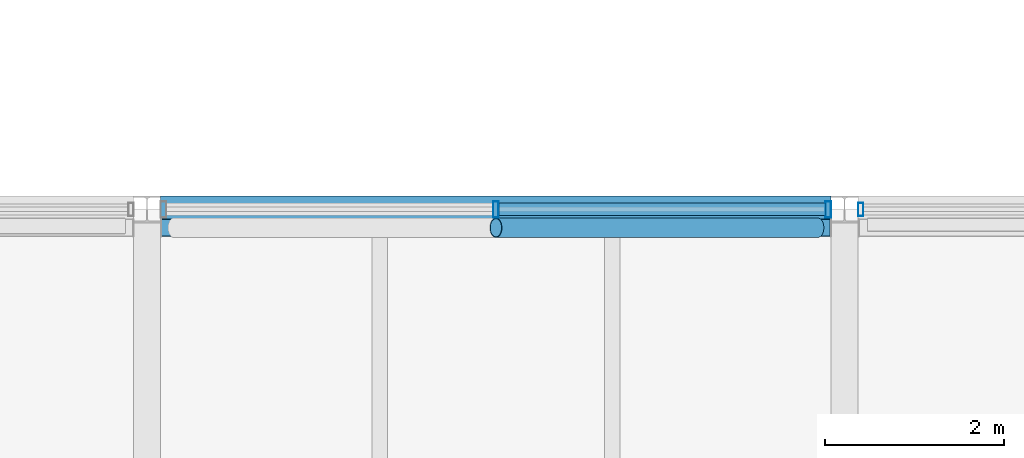
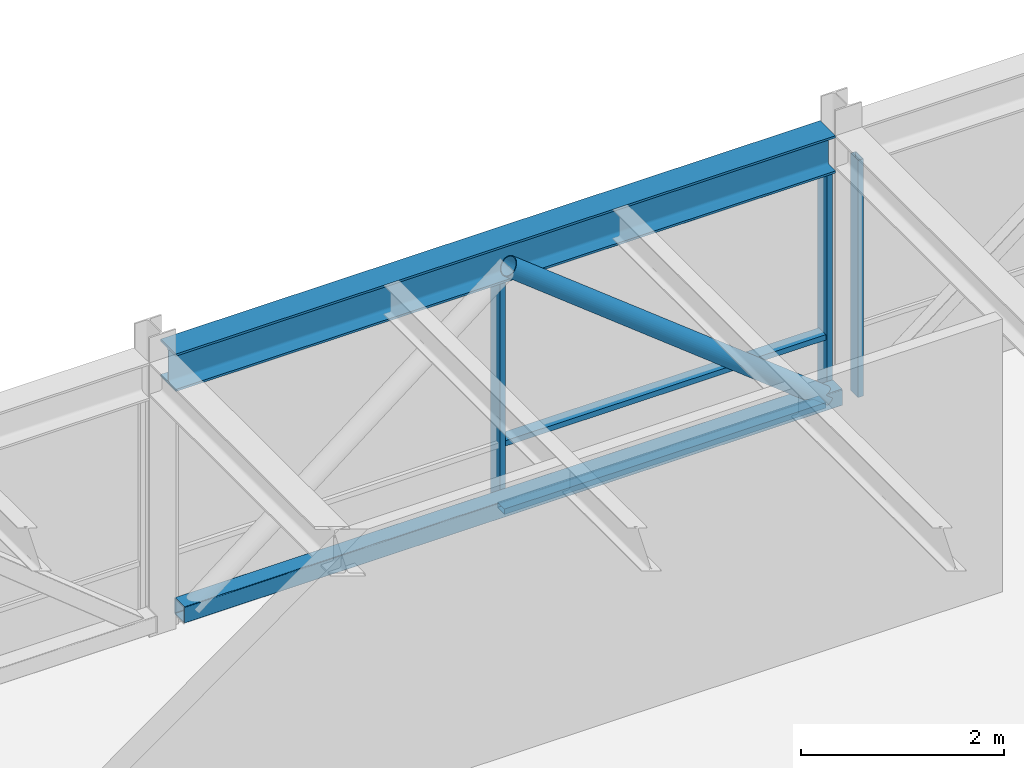
# One storey, part 15 of 49: 8 members, 1 beam, 2 elements without a shape of their own.
"""IFC4 building model written with IfcOpenShell, lengths in metres."""

from ifc_helpers import new_model, si_unit, direction, frame, origin, origin_2d, place, context, subcontext, project, spatial, hollow_rectangle, hollow_circle, i_section, extrude, material, material_profile, profile_set, type_object, element, aggregate, save


model = new_model("IFC4")

# Units and contexts
model_context = context("Model", 3, precision=1e-05, world=origin(), true_north=direction((0.0, 1.0)))
body_context = subcontext(model_context, "Body", "Model", "MODEL_VIEW")
ifc_project = project(units=[si_unit("LENGTHUNIT", "METRE"), si_unit("AREAUNIT", "SQUARE_METRE"), si_unit("VOLUMEUNIT", "CUBIC_METRE"), si_unit("PLANEANGLEUNIT", "RADIAN"), si_unit("MASSUNIT", "GRAM", prefix="KILO"), si_unit("THERMODYNAMICTEMPERATUREUNIT", "KELVIN"), si_unit("POWERUNIT", "WATT")], contexts=[model_context])

# Site, building, storey
site_placement = place(None, origin())
site = spatial("IfcSite", under=ifc_project, at=site_placement, CompositionType="ELEMENT")
building_placement = place(site_placement, origin())
building = spatial("IfcBuilding", under=site, at=building_placement, Name="Srebrne Nadtorze General Hospital", CompositionType="ELEMENT")
storey_placement = place(building_placement, frame((0.0, 0.0, 26.10009765625)))
storey = spatial("IfcBuildingStorey", under=building, at=storey_placement, Name="L06", CompositionType="ELEMENT", Elevation=26.10009765625)

# Beam
ifc_material_1 = material(Name="Steel S355J2", Category="steel")
ifc_material_profile_1 = material_profile(ifc_material_1, i_section(OverallWidth=0.300048828125, OverallDepth=0.449951171875, WebThickness=0.013916015625, FlangeThickness=0.02587890625, FilletRadius=0.027099609375, at=origin_2d()), Name="HEB-450")
ifc_profile_set_1 = profile_set([ifc_material_profile_1], Name="Steel S355J2")
beam_type = type_object("IfcBeamType", Name="Courtyard bridge girder HEB 450", PredefinedType="BEAM", material=ifc_profile_set_1)
beam_placement = place(storey_placement, frame((62.550048828125, 58.800048828125, 3.074951171875), z_axis=(1.0, 0.0, 0.0), x_axis=(0.0, 1.0, 0.0)))
element("IfcBeam", 1, at=beam_placement, inside=storey, type_object=beam_type, Name="Beam BM-L06-X-1167", PredefinedType="BEAM", context=body_context, shape_type="SweptSolid", body=[
    extrude(i_section(OverallWidth=0.300048828125, OverallDepth=0.449951171875, WebThickness=0.013916015625, FlangeThickness=0.02587890625, FilletRadius=0.027099609375, at=origin_2d()), origin(), (0.0, 0.0, 1.0), 7.5),
])

# Curtain wall, member
ifc_material_2 = material(Name="Anodised Aluminium", Category="aluminium")
curtain_wall_type = type_object("IfcCurtainWallType", Name="Bridge curtain wall 7500x2850", PredefinedType="NOTDEFINED", material=ifc_material_2)
curtain_wall_1_placement = place(storey_placement, origin())
curtain_wall_1 = element("IfcCurtainWall", 2, at=curtain_wall_1_placement, inside=storey, type_object=curtain_wall_type, Name="Curtain wall CW-146", PredefinedType="NOTDEFINED")
ifc_material_3 = material(Name="Anodised Aluminium", Category="aluminium")
ifc_material_profile_2 = material_profile(ifc_material_3, hollow_rectangle(XDim=0.06005859375, YDim=0.14990234375, WallThickness=0.00390625, at=origin_2d()), Name="AL-MUL-60x150")
ifc_profile_set_2 = profile_set([ifc_material_profile_2], Name="Anodised Aluminium")
member_type_1 = type_object("IfcMemberType", Name="Curtain mullion 60x150", PredefinedType="MULLION", material=ifc_profile_set_2)
member_1_placement = place(storey_placement, frame((70.3798828125, 58.800048828125, 0.0), z_axis=(0.0, 0.0, 1.0), x_axis=(1.0, 0.0, 0.0)))
member_1 = element("IfcMember", 3, at=member_1_placement, type_object=member_type_1, Name="CW-146 mullion 1", PredefinedType="MULLION", context=body_context, shape_type="SweptSolid", body=[
    extrude(hollow_rectangle(XDim=0.06005859375, YDim=0.14990234375, WallThickness=0.00390625, at=origin_2d()), origin(), (0.0, 0.0, 1.0), 2.849853515625),
])
aggregate(curtain_wall_1, [member_1])

# Curtain wall, members
curtain_wall_2_placement = place(storey_placement, origin())
curtain_wall_2 = element("IfcCurtainWall", 4, at=curtain_wall_2_placement, inside=storey, type_object=curtain_wall_type, Name="Curtain wall CW-145", PredefinedType="NOTDEFINED")
ifc_material_4 = material(Name="Anodised Aluminium", Category="aluminium")
ifc_material_profile_3 = material_profile(ifc_material_4, hollow_rectangle(XDim=0.06494140625, YDim=0.179931640625, WallThickness=0.00390625, at=origin_2d()), Name="AL-MUL-65x180")
ifc_profile_set_3 = profile_set([ifc_material_profile_3], Name="Anodised Aluminium")
member_type_2 = type_object("IfcMemberType", Name="Curtain mullion 65x180", PredefinedType="MULLION", material=ifc_profile_set_3)
member_2_placement = place(storey_placement, frame((66.300048828125, 58.800048828125, 0.0), z_axis=(0.0, 0.0, 1.0), x_axis=(1.0, 0.0, 0.0)))
member_2 = element("IfcMember", 5, at=member_2_placement, type_object=member_type_2, Name="CW-145 mullion 2", PredefinedType="MULLION", context=body_context, shape_type="SweptSolid", body=[
    extrude(hollow_rectangle(XDim=0.06494140625, YDim=0.179931640625, WallThickness=0.00390625, at=origin_2d()), origin(), (0.0, 0.0, 1.0), 2.849853515625),
])
member_3_placement = place(storey_placement, frame((70.017578125, 58.800048828125, 0.0), z_axis=(0.0, 0.0, 1.0), x_axis=(1.0, 0.0, 0.0)))
member_3 = element("IfcMember", 6, at=member_3_placement, type_object=member_type_2, Name="CW-145 mullion 3", PredefinedType="MULLION", context=body_context, shape_type="SweptSolid", body=[
    extrude(hollow_rectangle(XDim=0.06494140625, YDim=0.179931640625, WallThickness=0.00390625, at=origin_2d()), origin(), (0.0, 0.0, 1.0), 2.849853515625),
])
ifc_material_5 = material(Name="Anodised Aluminium", Category="aluminium")
ifc_material_profile_4 = material_profile(ifc_material_5, hollow_rectangle(XDim=0.06494140625, YDim=0.139892578125, WallThickness=0.00390625, at=origin_2d()), Name="AL-TRN-65x140")
ifc_profile_set_4 = profile_set([ifc_material_profile_4], Name="Anodised Aluminium")
member_type_3 = type_object("IfcMemberType", Name="Curtain transom 65x140", PredefinedType="USERDEFINED", material=ifc_profile_set_4)
member_4_placement = place(storey_placement, frame((66.33251953125, 58.800048828125, 0.032470703125), z_axis=(1.0, 0.0, 0.0), x_axis=(0.0, 0.0, 1.0)))
member_4 = element("IfcMember", 7, at=member_4_placement, type_object=member_type_3, Name="CW-145 transom 2.1", ObjectType="TRANSOM", PredefinedType="USERDEFINED", context=body_context, shape_type="SweptSolid", body=[
    extrude(hollow_rectangle(XDim=0.06494140625, YDim=0.139892578125, WallThickness=0.00390625, at=origin_2d()), origin(), (0.0, 0.0, 1.0), 3.652587890625),
])
member_5_placement = place(storey_placement, frame((66.33251953125, 58.800048828125, 0.849853515625), z_axis=(1.0, 0.0, 0.0), x_axis=(0.0, 0.0, 1.0)))
member_5 = element("IfcMember", 8, at=member_5_placement, type_object=member_type_3, Name="CW-145 transom 2.2", ObjectType="TRANSOM", PredefinedType="USERDEFINED", context=body_context, shape_type="SweptSolid", body=[
    extrude(hollow_rectangle(XDim=0.06494140625, YDim=0.139892578125, WallThickness=0.00390625, at=origin_2d()), origin(), (0.0, 0.0, 1.0), 3.652587890625),
])
member_6_placement = place(storey_placement, frame((66.33251953125, 58.800048828125, 2.8173828125), z_axis=(1.0, 0.0, 0.0), x_axis=(0.0, 0.0, 1.0)))
member_6 = element("IfcMember", 9, at=member_6_placement, type_object=member_type_3, Name="CW-145 transom 2.3", ObjectType="TRANSOM", PredefinedType="USERDEFINED", context=body_context, shape_type="SweptSolid", body=[
    extrude(hollow_rectangle(XDim=0.06494140625, YDim=0.139892578125, WallThickness=0.00390625, at=origin_2d()), origin(), (0.0, 0.0, 1.0), 3.652587890625),
])
aggregate(curtain_wall_2, [member_2, member_3, member_4, member_5, member_6])

# Members
ifc_material_6 = material(Name="Steel S355J2", Category="steel")
ifc_material_profile_5 = material_profile(ifc_material_6, hollow_circle(Radius=0.109619140625, WallThickness=0.008056640625, at=origin_2d()), Name="CHS-219.1x8")
ifc_profile_set_5 = profile_set([ifc_material_profile_5], Name="Steel S355J2")
member_type_4 = type_object("IfcMemberType", Name="Diagonal brace CHS 219.1x8", PredefinedType="BRACE", material=ifc_profile_set_5)
member_7_placement = place(storey_placement, frame((69.89990234375, 58.595458984375, 0.25), z_axis=(-0.786172155182, 0.0, 0.618007558543), x_axis=(0.0, -1.0, 0.0)))
element("IfcMember", 10, at=member_7_placement, inside=storey, type_object=member_type_4, Name="Clinical courtyard bridge brace 40", PredefinedType="BRACE", context=body_context, shape_type="SweptSolid", body=[
    extrude(hollow_circle(Radius=0.109619140625, WallThickness=0.008056640625, at=origin_2d()), origin(), (0.0, 0.0, 1.0), 4.578857421875),
])
ifc_material_7 = material(Name="Steel S355J2", Category="steel")
ifc_material_profile_6 = material_profile(ifc_material_7, hollow_rectangle(XDim=0.199951171875, YDim=0.199951171875, WallThickness=0.010009765625, InnerFilletRadius=0.010009765625, OuterFilletRadius=0.014892578125, at=origin_2d()), Name="SHS-200x200x10")
ifc_profile_set_6 = profile_set([ifc_material_profile_6], Name="Steel S355J2")
member_type_5 = type_object("IfcMemberType", Name="Truss chord SHS 200x200x10", PredefinedType="CHORD", material=ifc_profile_set_6)
member_8_placement = place(storey_placement, frame((62.56201171875, 58.594970703125, 0.25), z_axis=(1.0, 0.0, 0.0), x_axis=(0.0, 1.0, 0.0)))
element("IfcMember", 11, at=member_8_placement, inside=storey, type_object=member_type_5, Name="Clinical courtyard bridge truss chord 20", PredefinedType="CHORD", context=body_context, shape_type="SweptSolid", body=[
    extrude(hollow_rectangle(XDim=0.199951171875, YDim=0.199951171875, WallThickness=0.010009765625, InnerFilletRadius=0.010009765625, OuterFilletRadius=0.014892578125, at=origin_2d()), origin(), (0.0, 0.0, 1.0), 7.47607421875),
])

save(model, "model.ifc")
